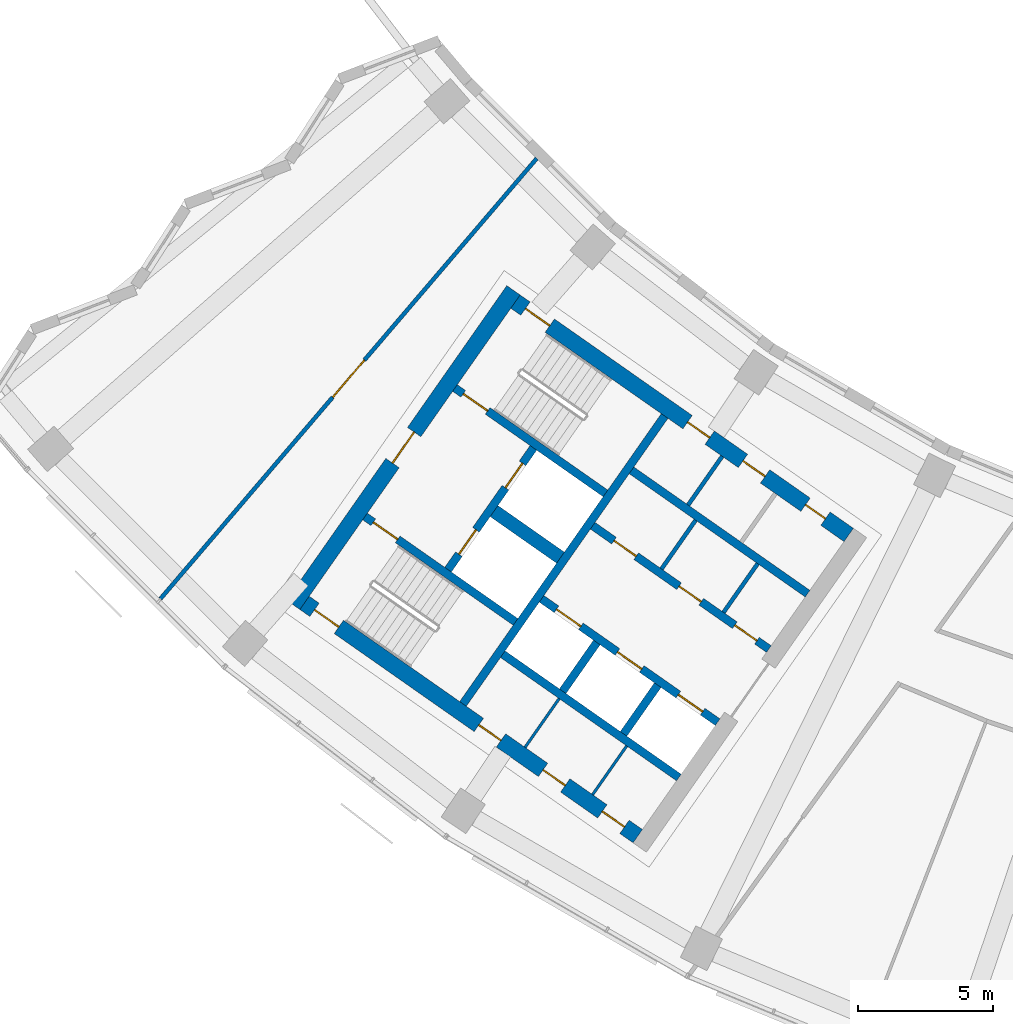
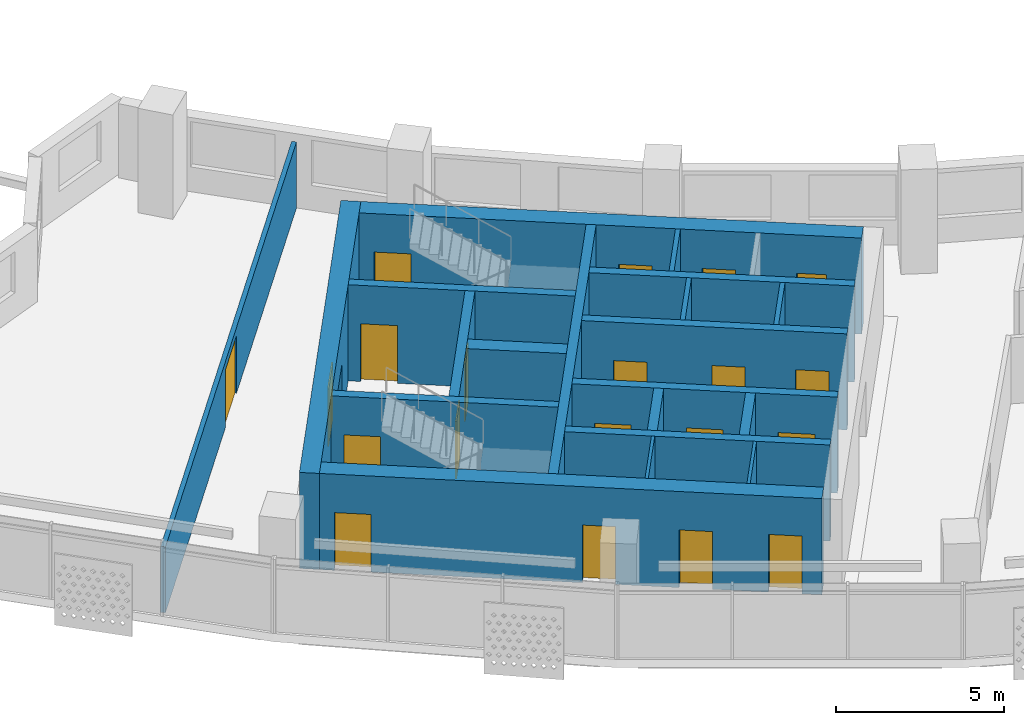
# One storey, part 3 of 27: 20 doors, 20 walls, 20 openings.
"""IFC4 building model written with IfcOpenShell, lengths in metres."""

from ifc_helpers import new_model, si_unit, direction, frame, frame_2d, origin, place, context, subcontext, project, spatial, rectangle, extrude, material, layer, layer_set, type_object, element, fill, save


model = new_model("IFC4")

# Units and contexts
model_context = context("Model", 3, precision=1e-05, world=origin(), true_north=direction((0.0, 1.0)))
body_context = subcontext(model_context, "Body", "Model", "MODEL_VIEW")
ifc_project = project(units=[si_unit("LENGTHUNIT", "METRE"), si_unit("AREAUNIT", "SQUARE_METRE"), si_unit("VOLUMEUNIT", "CUBIC_METRE"), si_unit("PLANEANGLEUNIT", "RADIAN"), si_unit("MASSUNIT", "GRAM", prefix="KILO")], contexts=[model_context])

# Site, building, storey
site_placement = place(None, origin())
site = spatial("IfcSite", under=ifc_project, at=site_placement, CompositionType="ELEMENT")
building_placement = place(site_placement, origin())
building = spatial("IfcBuilding", under=site, at=building_placement, Name="Qamariyya Broadcast Tower", CompositionType="ELEMENT")
storey_placement = place(building_placement, frame((0.0, 0.0, 175.89990234375)))
storey = spatial("IfcBuildingStorey", under=building, at=storey_placement, Name="L41", CompositionType="ELEMENT", Elevation=175.89990234375)

# Wall, opening, door
ifc_material_1 = material(Name="Concrete C60/75", Category="concrete")
ifc_layer_1 = layer(ifc_material_1, 0.60009765625)
ifc_layer_set_1 = layer_set([ifc_layer_1], Name="Core wall 600 mm Concrete C60/75")
wall_type_1 = type_object("IfcWallType", Name="Core wall 600 mm Concrete C60/75", PredefinedType="SHEAR", material=ifc_layer_set_1)
wall_1_placement = place(storey_placement, frame((-49.4833984375, -57.031494140625, 0.0), z_axis=(0.0, 0.0, 1.0), x_axis=(0.573560421458, 0.819163257805, 0.0)))
wall_1 = element("IfcWall", 1, at=wall_1_placement, inside=storey, type_object=wall_type_1, Name="k-W-L41-WH", PredefinedType="SHEAR", context=body_context, shape_type="SweptSolid", body=[
    extrude(rectangle(XDim=14.199951171875, YDim=0.60009765625, at=frame_2d((7.10009765625, 0.0))), origin(), (0.0, 0.0, 1.0), 3.5),
])
opening_1_placement = place(wall_1_placement, frame((6.39990234375, 0.0, 0.0)))
opening_1 = element("IfcOpeningElement", 2, at=opening_1_placement, cuts=wall_1, Name="Opening KD2-W1", PredefinedType="OPENING", context=body_context, shape_type="SweptSolid", body=[
    extrude(rectangle(XDim=1.39990234375, YDim=2.10009765625, at=frame_2d((0.699951171875, 1.050048828125))), frame((0.0, 0.31005859375, 0.0), z_axis=(0.0, -1.0, 0.0), x_axis=(1.0, 0.0, 0.0)), (0.0, 0.0, 1.0), 0.6201171875),
])
ifc_material_2 = material(Name="Steel fire-resisting door leaf", Category="steel")
door_type_1 = type_object("IfcDoorType", Name="Fire-fighting lobby door KD2", OperationType="DOUBLE_DOOR_SINGLE_SWING", PredefinedType="DOOR", material=ifc_material_2)
door_1_placement = place(opening_1_placement, origin())
door_1 = element("IfcDoor", 3, at=door_1_placement, inside=storey, type_object=door_type_1, Name="k-W-L41-WH-D16", OperationType="DOUBLE_DOOR_SINGLE_SWING", OverallHeight=2.10009765625, OverallWidth=1.39990234375, PredefinedType="DOOR", context=body_context, shape_type="SweptSolid", body=[
    extrude(rectangle(XDim=1.39990234375, YDim=2.10009765625, at=frame_2d((0.699951171875, 1.050048828125))), frame((0.0, 0.02490234375, 0.0), z_axis=(0.0, -1.0, 0.0), x_axis=(1.0, 0.0, 0.0)), (0.0, 0.0, 1.0), 0.050048828125),
])
fill(opening_1, door_1)

# Wall, openings, doors
wall_2_placement = place(storey_placement, frame((-28.940673828125, -54.447021484375, 0.0), z_axis=(0.0, 0.0, 1.0), x_axis=(-0.819153391756, 0.573574511963, 0.0)))
wall_2 = element("IfcWall", 4, at=wall_2_placement, inside=storey, type_object=wall_type_1, Name="k-W-L41-WI", PredefinedType="SHEAR", context=body_context, shape_type="SweptSolid", body=[
    extrude(rectangle(XDim=15.04541015625, YDim=0.60009765625, at=frame_2d((7.522705078125, 0.0))), origin(), (0.0, 0.0, 1.0), 3.5),
])
opening_2_placement = place(wall_2_placement, frame((1.050048828125, 0.0, 0.0)))
opening_2 = element("IfcOpeningElement", 5, at=opening_2_placement, cuts=wall_2, Name="Opening KD5-W1", PredefinedType="OPENING", context=body_context, shape_type="SweptSolid", body=[
    extrude(rectangle(XDim=0.89990234375, YDim=2.10009765625, at=frame_2d((0.449951171875, 1.050048828125))), frame((0.0, 0.31005859375, 0.0), z_axis=(0.0, -1.0, 0.0), x_axis=(1.0, 0.0, 0.0)), (0.0, 0.0, 1.0), 0.6201171875),
])
opening_3_placement = place(wall_2_placement, frame((3.77490234375, 0.0, 0.0)))
opening_3 = element("IfcOpeningElement", 6, at=opening_3_placement, cuts=wall_2, Name="Opening KD7-W1", PredefinedType="OPENING", context=body_context, shape_type="SweptSolid", body=[
    extrude(rectangle(XDim=1.0, YDim=2.10009765625, at=frame_2d((0.5, 1.050048828125))), frame((0.0, 0.31005859375, 0.0), z_axis=(0.0, -1.0, 0.0), x_axis=(1.0, 0.0, 0.0)), (0.0, 0.0, 1.0), 0.6201171875),
])
opening_4_placement = place(wall_2_placement, frame((6.27490234375, 0.0, 0.0)))
opening_4 = element("IfcOpeningElement", 7, at=opening_4_placement, cuts=wall_2, Name="Opening KD6-W3", PredefinedType="OPENING", context=body_context, shape_type="SweptSolid", body=[
    extrude(rectangle(XDim=1.0, YDim=2.10009765625, at=frame_2d((0.5, 1.050048828125))), frame((0.0, 0.31005859375, 0.0), z_axis=(0.0, -1.0, 0.0), x_axis=(1.0, 0.0, 0.0)), (0.0, 0.0, 1.0), 0.6201171875),
])
opening_5_placement = place(wall_2_placement, frame((13.495361328125, 0.0, 0.0)))
opening_5 = element("IfcOpeningElement", 8, at=opening_5_placement, cuts=wall_2, Name="Opening KD1-W1", PredefinedType="OPENING", context=body_context, shape_type="SweptSolid", body=[
    extrude(rectangle(XDim=1.10009765625, YDim=2.10009765625, at=frame_2d((0.550048828125, 1.050048828125))), frame((0.0, 0.31005859375, 0.0), z_axis=(0.0, -1.0, 0.0), x_axis=(1.0, 0.0, 0.0)), (0.0, 0.0, 1.0), 0.6201171875),
])
door_type_2 = type_object("IfcDoorType", Name="Accessible toilet door KD7", OperationType="SINGLE_SWING_LEFT", PredefinedType="DOOR", material=ifc_material_2)
door_2_placement = place(opening_3_placement, origin())
door_2 = element("IfcDoor", 9, at=door_2_placement, inside=storey, type_object=door_type_2, Name="k-W-L41-WI-D9", OperationType="SINGLE_SWING_RIGHT", OverallHeight=2.10009765625, OverallWidth=1.0, PredefinedType="DOOR", context=body_context, shape_type="SweptSolid", body=[
    extrude(rectangle(XDim=1.0, YDim=2.10009765625, at=frame_2d((0.5, 1.050048828125))), frame((0.0, 0.02490234375, 0.0), z_axis=(0.0, -1.0, 0.0), x_axis=(1.0, 0.0, 0.0)), (0.0, 0.0, 1.0), 0.050048828125),
])
fill(opening_3, door_2)
door_type_3 = type_object("IfcDoorType", Name="Core room door KD6", OperationType="SINGLE_SWING_LEFT", PredefinedType="DOOR", material=ifc_material_2)
door_3_placement = place(opening_4_placement, origin())
door_3 = element("IfcDoor", 10, at=door_3_placement, inside=storey, type_object=door_type_3, Name="k-W-L41-WI-D10", OperationType="SINGLE_SWING_LEFT", OverallHeight=2.10009765625, OverallWidth=1.0, PredefinedType="DOOR", context=body_context, shape_type="SweptSolid", body=[
    extrude(rectangle(XDim=1.0, YDim=2.10009765625, at=frame_2d((0.5, 1.050048828125))), frame((0.0, 0.02490234375, 0.0), z_axis=(0.0, -1.0, 0.0), x_axis=(1.0, 0.0, 0.0)), (0.0, 0.0, 1.0), 0.050048828125),
])
fill(opening_4, door_3)
door_type_4 = type_object("IfcDoorType", Name="Stair door KD1", OperationType="SINGLE_SWING_LEFT", PredefinedType="DOOR", material=ifc_material_2)
door_4_placement = place(opening_5_placement, origin())
door_4 = element("IfcDoor", 11, at=door_4_placement, inside=storey, type_object=door_type_4, Name="k-W-L41-WI-D17", OperationType="SINGLE_SWING_RIGHT", OverallHeight=2.10009765625, OverallWidth=1.10009765625, PredefinedType="DOOR", context=body_context, shape_type="SweptSolid", body=[
    extrude(rectangle(XDim=1.10009765625, YDim=2.10009765625, at=frame_2d((0.550048828125, 1.050048828125))), frame((0.0, 0.02490234375, 0.0), z_axis=(0.0, -1.0, 0.0), x_axis=(1.0, 0.0, 0.0)), (0.0, 0.0, 1.0), 0.050048828125),
])
fill(opening_5, door_4)
door_type_5 = type_object("IfcDoorType", Name="Toilet door KD5", OperationType="SINGLE_SWING_LEFT", PredefinedType="DOOR", material=ifc_material_2)
door_5_placement = place(opening_2_placement, origin())
door_5 = element("IfcDoor", 12, at=door_5_placement, inside=storey, type_object=door_type_5, Name="k-W-L41-WI-D8", OperationType="SINGLE_SWING_LEFT", OverallHeight=2.10009765625, OverallWidth=0.89990234375, PredefinedType="DOOR", context=body_context, shape_type="SweptSolid", body=[
    extrude(rectangle(XDim=0.89990234375, YDim=2.10009765625, at=frame_2d((0.449951171875, 1.050048828125))), frame((0.0, 0.02490234375, 0.0), z_axis=(0.0, -1.0, 0.0), x_axis=(1.0, 0.0, 0.0)), (0.0, 0.0, 1.0), 0.050048828125),
])
fill(opening_2, door_5)

wall_3_placement = place(storey_placement, frame((-36.7412109375, -65.58740234375, 0.0), z_axis=(0.0, 0.0, 1.0), x_axis=(-0.819153391756, 0.573574511963, 0.0)))
wall_3 = element("IfcWall", 13, at=wall_3_placement, inside=storey, type_object=wall_type_1, Name="k-W-L41-WO", PredefinedType="SHEAR", context=body_context, shape_type="SweptSolid", body=[
    extrude(rectangle(XDim=15.04541015625, YDim=0.60009765625, at=frame_2d((7.522705078125, 0.0))), origin(), (0.0, 0.0, 1.0), 3.5),
])
opening_6_placement = place(wall_3_placement, frame((0.60009765625, 0.0, 0.0)))
opening_6 = element("IfcOpeningElement", 14, at=opening_6_placement, cuts=wall_3, Name="Opening KD4-W2", PredefinedType="OPENING", context=body_context, shape_type="SweptSolid", body=[
    extrude(rectangle(XDim=1.0, YDim=2.10009765625, at=frame_2d((0.5, 1.050048828125))), frame((0.0, 0.31005859375, 0.0), z_axis=(0.0, -1.0, 0.0), x_axis=(1.0, 0.0, 0.0)), (0.0, 0.0, 1.0), 0.6201171875),
])
opening_7_placement = place(wall_3_placement, frame((3.27490234375, 0.0, 0.0)))
opening_7 = element("IfcOpeningElement", 15, at=opening_7_placement, cuts=wall_3, Name="Opening KD4-W3", PredefinedType="OPENING", context=body_context, shape_type="SweptSolid", body=[
    extrude(rectangle(XDim=1.0, YDim=2.10009765625, at=frame_2d((0.5, 1.050048828125))), frame((0.0, 0.31005859375, 0.0), z_axis=(0.0, -1.0, 0.0), x_axis=(1.0, 0.0, 0.0)), (0.0, 0.0, 1.0), 0.6201171875),
])
opening_8_placement = place(wall_3_placement, frame((6.175048828125, 0.0, 0.0)))
opening_8 = element("IfcOpeningElement", 16, at=opening_8_placement, cuts=wall_3, Name="Opening KD4-W4", PredefinedType="OPENING", context=body_context, shape_type="SweptSolid", body=[
    extrude(rectangle(XDim=1.0, YDim=2.10009765625, at=frame_2d((0.5, 1.050048828125))), frame((0.0, 0.31005859375, 0.0), z_axis=(0.0, -1.0, 0.0), x_axis=(1.0, 0.0, 0.0)), (0.0, 0.0, 1.0), 0.6201171875),
])
opening_9_placement = place(wall_3_placement, frame((13.495361328125, 0.0, 0.0)))
opening_9 = element("IfcOpeningElement", 17, at=opening_9_placement, cuts=wall_3, Name="Opening KD1-W3", PredefinedType="OPENING", context=body_context, shape_type="SweptSolid", body=[
    extrude(rectangle(XDim=1.10009765625, YDim=2.10009765625, at=frame_2d((0.550048828125, 1.050048828125))), frame((0.0, 0.31005859375, 0.0), z_axis=(0.0, -1.0, 0.0), x_axis=(1.0, 0.0, 0.0)), (0.0, 0.0, 1.0), 0.6201171875),
])
door_type_6 = type_object("IfcDoorType", Name="Riser and plant door KD4", OperationType="SINGLE_SWING_LEFT", PredefinedType="DOOR", material=ifc_material_2)
door_6_placement = place(opening_6_placement, origin())
door_6 = element("IfcDoor", 18, at=door_6_placement, inside=storey, type_object=door_type_6, Name="k-W-L41-WO-D11", OperationType="SINGLE_SWING_RIGHT", OverallHeight=2.10009765625, OverallWidth=1.0, PredefinedType="DOOR", context=body_context, shape_type="SweptSolid", body=[
    extrude(rectangle(XDim=1.0, YDim=2.10009765625, at=frame_2d((0.5, 1.050048828125))), frame((0.0, 0.02490234375, 0.0), z_axis=(0.0, -1.0, 0.0), x_axis=(1.0, 0.0, 0.0)), (0.0, 0.0, 1.0), 0.050048828125),
])
fill(opening_6, door_6)
door_7_placement = place(opening_7_placement, origin())
door_7 = element("IfcDoor", 19, at=door_7_placement, inside=storey, type_object=door_type_6, Name="k-W-L41-WO-D12", OperationType="SINGLE_SWING_LEFT", OverallHeight=2.10009765625, OverallWidth=1.0, PredefinedType="DOOR", context=body_context, shape_type="SweptSolid", body=[
    extrude(rectangle(XDim=1.0, YDim=2.10009765625, at=frame_2d((0.5, 1.050048828125))), frame((0.0, 0.02490234375, 0.0), z_axis=(0.0, -1.0, 0.0), x_axis=(1.0, 0.0, 0.0)), (0.0, 0.0, 1.0), 0.050048828125),
])
fill(opening_7, door_7)
door_8_placement = place(opening_8_placement, origin())
door_8 = element("IfcDoor", 20, at=door_8_placement, inside=storey, type_object=door_type_6, Name="k-W-L41-WO-D13", OperationType="SINGLE_SWING_RIGHT", OverallHeight=2.10009765625, OverallWidth=1.0, PredefinedType="DOOR", context=body_context, shape_type="SweptSolid", body=[
    extrude(rectangle(XDim=1.0, YDim=2.10009765625, at=frame_2d((0.5, 1.050048828125))), frame((0.0, 0.02490234375, 0.0), z_axis=(0.0, -1.0, 0.0), x_axis=(1.0, 0.0, 0.0)), (0.0, 0.0, 1.0), 0.050048828125),
])
fill(opening_8, door_8)
door_9_placement = place(opening_9_placement, origin())
door_9 = element("IfcDoor", 21, at=door_9_placement, inside=storey, type_object=door_type_4, Name="k-W-L41-WO-D19", OperationType="SINGLE_SWING_LEFT", OverallHeight=2.10009765625, OverallWidth=1.10009765625, PredefinedType="DOOR", context=body_context, shape_type="SweptSolid", body=[
    extrude(rectangle(XDim=1.10009765625, YDim=2.10009765625, at=frame_2d((0.550048828125, 1.050048828125))), frame((0.0, 0.02490234375, 0.0), z_axis=(0.0, -1.0, 0.0), x_axis=(1.0, 0.0, 0.0)), (0.0, 0.0, 1.0), 0.050048828125),
])
fill(opening_9, door_9)

# Wall, opening, door
ifc_material_3 = material(Name="Gypsum board partition")
ifc_layer_2 = layer(ifc_material_3, 0.14990234375)
ifc_layer_set_2 = layer_set([ifc_layer_2], Name="Corridor partition 150 EI 60")
wall_type_2 = type_object("IfcWallType", Name="Corridor partition 150 EI 60", PredefinedType="PARTITIONING", material=ifc_layer_set_2)
wall_4_placement = place(storey_placement, frame((-54.39404296875, -56.8076171875, 0.0), z_axis=(0.0, 0.0, 1.0), x_axis=(0.649633284071, 0.760247720303, 0.0)))
wall_4 = element("IfcWall", 22, at=wall_4_placement, inside=storey, type_object=wall_type_2, Name="Partition L41-001", PredefinedType="PARTITIONING", context=body_context, shape_type="SweptSolid", body=[
    extrude(rectangle(XDim=21.420166015625, YDim=0.14990234375, at=frame_2d((10.7099609375, 0.0))), origin(), (0.0, 0.0, 1.0), 2.400146484375),
])
opening_10_placement = place(wall_4_placement, frame((9.81005859375, 0.0, 0.0)))
opening_10 = element("IfcOpeningElement", 23, at=opening_10_placement, cuts=wall_4, Name="Opening L41-D12", PredefinedType="OPENING", context=body_context, shape_type="SweptSolid", body=[
    extrude(rectangle(XDim=1.800048828125, YDim=2.10009765625, at=frame_2d((0.89990234375, 1.050048828125))), frame((0.0, 0.0849609375, 0.0), z_axis=(0.0, -1.0, 0.0), x_axis=(1.0, 0.0, 0.0)), (0.0, 0.0, 1.0), 0.169921875),
])
ifc_material_4 = material(Name="Timber fire door leaf", Category="wood")
door_type_7 = type_object("IfcDoorType", Name="Double fire door 1800 x 2100 FD60", OperationType="NOTDEFINED", PredefinedType="DOOR", material=ifc_material_4)
door_10_placement = place(opening_10_placement, origin())
door_10 = element("IfcDoor", 24, at=door_10_placement, inside=storey, type_object=door_type_7, Name="Door L41-D12", OperationType="DOUBLE_DOOR_SINGLE_SWING", OverallHeight=2.10009765625, OverallWidth=1.800048828125, PredefinedType="DOOR", context=body_context, shape_type="SweptSolid", body=[
    extrude(rectangle(XDim=1.800048828125, YDim=2.10009765625, at=frame_2d((0.89990234375, 1.050048828125))), frame((0.0, 0.02490234375, 0.0), z_axis=(0.0, -1.0, 0.0), x_axis=(1.0, 0.0, 0.0)), (0.0, 0.0, 1.0), 0.050048828125),
])
fill(opening_10, door_10)

# Walls
ifc_layer_3 = layer(ifc_material_1, 0.5)
ifc_layer_set_3 = layer_set([ifc_layer_3], Name="Fire-fighting lobby divider wall 500 mm Concrete C60/75")
wall_type_3 = type_object("IfcWallType", Name="Fire-fighting lobby divider wall 500 mm Concrete C60/75", PredefinedType="SOLIDWALL", material=ifc_layer_set_3)
wall_5_placement = place(storey_placement, frame((-39.59912109375, -55.28515625, 0.0), z_axis=(0.0, 0.0, 1.0), x_axis=(-0.819136323161, 0.573598887793, 0.0)))
element("IfcWall", 25, at=wall_5_placement, inside=storey, type_object=wall_type_3, Name="k-W-L41-FD", PredefinedType="SOLIDWALL", context=body_context, shape_type="SweptSolid", body=[
    extrude(rectangle(XDim=2.999755859375, YDim=0.5, at=frame_2d((1.5, 0.0))), origin(), (0.0, 0.0, 1.0), 3.5),
])
ifc_material_5 = material(Name="Gypsum board partition on steel studs", Category="steel")
ifc_layer_4 = layer(ifc_material_5, 0.14990234375)
ifc_layer_set_4 = layer_set([ifc_layer_4], Name="Gypsum board partition 150 mm")
wall_type_4 = type_object("IfcWallType", Name="Gypsum board partition 150 mm", PredefinedType="PARTITIONING", material=ifc_layer_set_4)
for number, where, z_axis, x_axis, name in (
    (26, (-33.569580078125, -57.3095703125, 0.0), (0.0, 0.0, 1.0), (0.573507030513, 0.819200638399, 0.0), "k-W-L41-NC215"),
    (27, (-35.86328125, -55.70361328125, 0.0), (0.0, 0.0, 1.0), (0.573507030513, 0.819200638399, 0.0), "k-W-L41-NC495"),
):
    element("IfcWall", number, at=place(storey_placement, frame(where, z_axis=z_axis, x_axis=x_axis)), inside=storey, type_object=wall_type_4, Name=name, PredefinedType="PARTITIONING", context=body_context, shape_type="SweptSolid", body=[
        extrude(rectangle(XDim=2.199951171875, YDim=0.14990234375, at=frame_2d((1.10009765625, 0.0))), origin(), (0.0, 0.0, 1.0), 3.5),
    ])
wall_6_placement = place(storey_placement, frame((-34.8798828125, -53.340087890625, 0.0), z_axis=(0.0, 0.0, 1.0), x_axis=(0.573559170999, 0.819164133348, 0.0)))
element("IfcWall", 28, at=wall_6_placement, inside=storey, type_object=wall_type_4, Name="k-W-L41-NP550", PredefinedType="PARTITIONING", context=body_context, shape_type="SweptSolid", body=[
    extrude(rectangle(XDim=2.19970703125, YDim=0.14990234375, at=frame_2d((1.099853515625, 0.0))), origin(), (0.0, 0.0, 1.0), 3.5),
])
ifc_layer_5 = layer(ifc_material_1, 0.300048828125)
ifc_layer_set_5 = layer_set([ifc_layer_5], Name="Lift shaft wall 300 mm Concrete C60/75")
wall_type_5 = type_object("IfcWallType", Name="Lift shaft wall 300 mm Concrete C60/75", PredefinedType="SOLIDWALL", material=ifc_layer_set_5)
wall_7_placement = place(storey_placement, frame((-43.204345703125, -60.69580078125, 0.0), z_axis=(0.0, 0.0, 1.0), x_axis=(0.573571992966, 0.819155155563, 0.0)))
element("IfcWall", 29, at=wall_7_placement, inside=storey, type_object=wall_type_5, Name="k-W-L41-WL", PredefinedType="SOLIDWALL", context=body_context, shape_type="SweptSolid", body=[
    extrude(rectangle(XDim=13.000244140625, YDim=0.300048828125, at=frame_2d((6.5, 0.0))), origin(), (0.0, 0.0, 1.0), 3.5),
])

# Wall, openings, doors
wall_8_placement = place(storey_placement, frame((-31.89453125, -58.66552734375, 0.0), z_axis=(0.0, 0.0, 1.0), x_axis=(-0.819166993208, 0.573555086491, 0.0)))
wall_8 = element("IfcWall", 30, at=wall_8_placement, inside=storey, type_object=wall_type_5, Name="k-W-L41-NF0", PredefinedType="SOLIDWALL", context=body_context, shape_type="SweptSolid", body=[
    extrude(rectangle(XDim=7.9501953125, YDim=0.300048828125, at=frame_2d((3.97509765625, 0.0))), origin(), (0.0, 0.0, 1.0), 3.5),
])
opening_11_placement = place(wall_8_placement, frame((0.53759765625, 0.0, 0.0)))
opening_11 = element("IfcOpeningElement", 31, at=opening_11_placement, cuts=wall_8, Name="Opening KD6-W1", PredefinedType="OPENING", context=body_context, shape_type="SweptSolid", body=[
    extrude(rectangle(XDim=1.0, YDim=2.10009765625, at=frame_2d((0.5, 1.050048828125))), frame((0.0, 0.159912109375, 0.0), z_axis=(0.0, -1.0, 0.0), x_axis=(1.0, 0.0, 0.0)), (0.0, 0.0, 1.0), 0.320068359375),
])
opening_12_placement = place(wall_8_placement, frame((3.050048828125, 0.0, 0.0)))
opening_12 = element("IfcOpeningElement", 32, at=opening_12_placement, cuts=wall_8, Name="Opening KD6-W2", PredefinedType="OPENING", context=body_context, shape_type="SweptSolid", body=[
    extrude(rectangle(XDim=1.0, YDim=2.10009765625, at=frame_2d((0.5, 1.050048828125))), frame((0.0, 0.159912109375, 0.0), z_axis=(0.0, -1.0, 0.0), x_axis=(1.0, 0.0, 0.0)), (0.0, 0.0, 1.0), 0.320068359375),
])
opening_13_placement = place(wall_8_placement, frame((5.987548828125, 0.0, 0.0)))
opening_13 = element("IfcOpeningElement", 33, at=opening_13_placement, cuts=wall_8, Name="Opening KD4-W1", PredefinedType="OPENING", context=body_context, shape_type="SweptSolid", body=[
    extrude(rectangle(XDim=1.0, YDim=2.10009765625, at=frame_2d((0.5, 1.050048828125))), frame((0.0, 0.159912109375, 0.0), z_axis=(0.0, -1.0, 0.0), x_axis=(1.0, 0.0, 0.0)), (0.0, 0.0, 1.0), 0.320068359375),
])
door_11_placement = place(opening_11_placement, origin())
door_11 = element("IfcDoor", 34, at=door_11_placement, inside=storey, type_object=door_type_3, Name="k-W-L41-NF0-D2", OperationType="SINGLE_SWING_LEFT", OverallHeight=2.10009765625, OverallWidth=1.0, PredefinedType="DOOR", context=body_context, shape_type="SweptSolid", body=[
    extrude(rectangle(XDim=1.0, YDim=2.10009765625, at=frame_2d((0.5, 1.050048828125))), frame((0.0, 0.02490234375, 0.0), z_axis=(0.0, -1.0, 0.0), x_axis=(1.0, 0.0, 0.0)), (0.0, 0.0, 1.0), 0.050048828125),
])
fill(opening_11, door_11)
door_12_placement = place(opening_12_placement, origin())
door_12 = element("IfcDoor", 35, at=door_12_placement, inside=storey, type_object=door_type_3, Name="k-W-L41-NF0-D3", OperationType="SINGLE_SWING_RIGHT", OverallHeight=2.10009765625, OverallWidth=1.0, PredefinedType="DOOR", context=body_context, shape_type="SweptSolid", body=[
    extrude(rectangle(XDim=1.0, YDim=2.10009765625, at=frame_2d((0.5, 1.050048828125))), frame((0.0, 0.02490234375, 0.0), z_axis=(0.0, -1.0, 0.0), x_axis=(1.0, 0.0, 0.0)), (0.0, 0.0, 1.0), 0.050048828125),
])
fill(opening_12, door_12)
door_13_placement = place(opening_13_placement, origin())
door_13 = element("IfcDoor", 36, at=door_13_placement, inside=storey, type_object=door_type_6, Name="k-W-L41-NF0-D4", OperationType="SINGLE_SWING_LEFT", OverallHeight=2.10009765625, OverallWidth=1.0, PredefinedType="DOOR", context=body_context, shape_type="SweptSolid", body=[
    extrude(rectangle(XDim=1.0, YDim=2.10009765625, at=frame_2d((0.5, 1.050048828125))), frame((0.0, 0.02490234375, 0.0), z_axis=(0.0, -1.0, 0.0), x_axis=(1.0, 0.0, 0.0)), (0.0, 0.0, 1.0), 0.050048828125),
])
fill(opening_13, door_13)

# Wall
wall_9_placement = place(storey_placement, frame((-30.460693359375, -56.61767578125, 0.0), z_axis=(0.0, 0.0, 1.0), x_axis=(-0.819142461705, 0.573590121456, 0.0)))
element("IfcWall", 37, at=wall_9_placement, inside=storey, type_object=wall_type_5, Name="k-W-L41-NB0", PredefinedType="SOLIDWALL", context=body_context, shape_type="SweptSolid", body=[
    extrude(rectangle(XDim=7.949951171875, YDim=0.300048828125, at=frame_2d((3.97509765625, 0.0))), origin(), (0.0, 0.0, 1.0), 3.5),
])

# Wall, openings, doors
wall_10_placement = place(storey_placement, frame((-33.787353515625, -61.368896484375, 0.0), z_axis=(0.0, 0.0, 1.0), x_axis=(-0.819152564888, 0.573575692858, 0.0)))
wall_10 = element("IfcWall", 38, at=wall_10_placement, inside=storey, type_object=wall_type_5, Name="k-W-L41-SF0", PredefinedType="SOLIDWALL", context=body_context, shape_type="SweptSolid", body=[
    extrude(rectangle(XDim=7.9501953125, YDim=0.300048828125, at=frame_2d((3.97509765625, 0.0))), origin(), (0.0, 0.0, 1.0), 3.5),
])
opening_14_placement = place(wall_10_placement, frame((0.675048828125, 0.0, 0.0)))
opening_14 = element("IfcOpeningElement", 39, at=opening_14_placement, cuts=wall_10, Name="Opening LD", PredefinedType="OPENING", context=body_context, shape_type="SweptSolid", body=[
    extrude(rectangle(XDim=1.10009765625, YDim=2.10009765625, at=frame_2d((0.550048828125, 1.050048828125))), frame((0.0, 0.159912109375, 0.0), z_axis=(0.0, -1.0, 0.0), x_axis=(1.0, 0.0, 0.0)), (0.0, 0.0, 1.0), 0.320068359375),
])
opening_15_placement = place(wall_10_placement, frame((3.425048828125, 0.0, 0.0)))
opening_15 = element("IfcOpeningElement", 40, at=opening_15_placement, cuts=wall_10, Name="Opening LD", PredefinedType="OPENING", context=body_context, shape_type="SweptSolid", body=[
    extrude(rectangle(XDim=1.10009765625, YDim=2.10009765625, at=frame_2d((0.550048828125, 1.050048828125))), frame((0.0, 0.159912109375, 0.0), z_axis=(0.0, -1.0, 0.0), x_axis=(1.0, 0.0, 0.0)), (0.0, 0.0, 1.0), 0.320068359375),
])
opening_16_placement = place(wall_10_placement, frame((6.175048828125, 0.0, 0.0)))
opening_16 = element("IfcOpeningElement", 41, at=opening_16_placement, cuts=wall_10, Name="Opening LD", PredefinedType="OPENING", context=body_context, shape_type="SweptSolid", body=[
    extrude(rectangle(XDim=1.10009765625, YDim=2.10009765625, at=frame_2d((0.550048828125, 1.050048828125))), frame((0.0, 0.159912109375, 0.0), z_axis=(0.0, -1.0, 0.0), x_axis=(1.0, 0.0, 0.0)), (0.0, 0.0, 1.0), 0.320068359375),
])
door_type_8 = type_object("IfcDoorType", Name="Lift landing door LD", OperationType="DOUBLE_DOOR_SLIDING", PredefinedType="DOOR", material=ifc_material_2)
door_14_placement = place(opening_14_placement, origin())
door_14 = element("IfcDoor", 42, at=door_14_placement, inside=storey, type_object=door_type_8, Name="k-W-L41-SF0-D5", OperationType="DOUBLE_DOOR_SLIDING", OverallHeight=2.10009765625, OverallWidth=1.10009765625, PredefinedType="DOOR", context=body_context, shape_type="SweptSolid", body=[
    extrude(rectangle(XDim=1.10009765625, YDim=2.10009765625, at=frame_2d((0.550048828125, 1.050048828125))), frame((0.0, 0.02490234375, 0.0), z_axis=(0.0, -1.0, 0.0), x_axis=(1.0, 0.0, 0.0)), (0.0, 0.0, 1.0), 0.050048828125),
])
fill(opening_14, door_14)
door_15_placement = place(opening_15_placement, origin())
door_15 = element("IfcDoor", 43, at=door_15_placement, inside=storey, type_object=door_type_8, Name="k-W-L41-SF0-D6", OperationType="DOUBLE_DOOR_SLIDING", OverallHeight=2.10009765625, OverallWidth=1.10009765625, PredefinedType="DOOR", context=body_context, shape_type="SweptSolid", body=[
    extrude(rectangle(XDim=1.10009765625, YDim=2.10009765625, at=frame_2d((0.550048828125, 1.050048828125))), frame((0.0, 0.02490234375, 0.0), z_axis=(0.0, -1.0, 0.0), x_axis=(1.0, 0.0, 0.0)), (0.0, 0.0, 1.0), 0.050048828125),
])
fill(opening_15, door_15)
door_16_placement = place(opening_16_placement, origin())
door_16 = element("IfcDoor", 44, at=door_16_placement, inside=storey, type_object=door_type_8, Name="k-W-L41-SF0-D7", OperationType="DOUBLE_DOOR_SLIDING", OverallHeight=2.10009765625, OverallWidth=1.10009765625, PredefinedType="DOOR", context=body_context, shape_type="SweptSolid", body=[
    extrude(rectangle(XDim=1.10009765625, YDim=2.10009765625, at=frame_2d((0.550048828125, 1.050048828125))), frame((0.0, 0.02490234375, 0.0), z_axis=(0.0, -1.0, 0.0), x_axis=(1.0, 0.0, 0.0)), (0.0, 0.0, 1.0), 0.050048828125),
])
fill(opening_16, door_16)

# Walls
wall_11_placement = place(storey_placement, frame((-35.22119140625, -63.41650390625, 0.0), z_axis=(0.0, 0.0, 1.0), x_axis=(-0.819166993208, 0.573555086491, 0.0)))
element("IfcWall", 45, at=wall_11_placement, inside=storey, type_object=wall_type_5, Name="k-W-L41-SB0", PredefinedType="SOLIDWALL", context=body_context, shape_type="SweptSolid", body=[
    extrude(rectangle(XDim=7.9501953125, YDim=0.300048828125, at=frame_2d((3.97509765625, 0.0))), origin(), (0.0, 0.0, 1.0), 3.5),
])
wall_12_placement = place(storey_placement, frame((-36.003173828125, -60.000244140625, 0.0), z_axis=(0.0, 0.0, 1.0), x_axis=(-0.573581496053, -0.819148501424, 0.0)))
element("IfcWall", 46, at=wall_12_placement, inside=storey, type_object=wall_type_5, Name="k-W-L41-SD0", PredefinedType="SOLIDWALL", context=body_context, shape_type="SweptSolid", body=[
    extrude(rectangle(XDim=2.2001953125, YDim=0.300048828125, at=frame_2d((1.10009765625, 0.0))), origin(), (0.0, 0.0, 1.0), 3.5),
])
wall_13_placement = place(storey_placement, frame((-38.255859375, -58.423095703125, 0.0), z_axis=(0.0, 0.0, 1.0), x_axis=(-0.573633636671, -0.819111989218, 0.0)))
element("IfcWall", 47, at=wall_13_placement, inside=storey, type_object=wall_type_5, Name="k-W-L41-SD1", PredefinedType="SOLIDWALL", context=body_context, shape_type="SweptSolid", body=[
    extrude(rectangle(XDim=2.199951171875, YDim=0.300048828125, at=frame_2d((1.10009765625, 0.0))), origin(), (0.0, 0.0, 1.0), 3.5),
])

# Wall, opening, door
wall_14_placement = place(storey_placement, frame((-37.935546875, -52.90966796875, 0.0), z_axis=(0.0, 0.0, 1.0), x_axis=(-0.819147518138, 0.57358290031, 0.0)))
wall_14 = element("IfcWall", 48, at=wall_14_placement, inside=storey, type_object=wall_type_5, Name="k-W-L41-NW", PredefinedType="SOLIDWALL", context=body_context, shape_type="SweptSolid", body=[
    extrude(rectangle(XDim=6.79541015625, YDim=0.300048828125, at=frame_2d((3.397705078125, 0.0))), origin(), (0.0, 0.0, 1.0), 3.5),
])
opening_17_placement = place(wall_14_placement, frame((5.3203125, 0.0, 0.0)))
opening_17 = element("IfcOpeningElement", 49, at=opening_17_placement, cuts=wall_14, Name="Opening KD1-W2", PredefinedType="OPENING", context=body_context, shape_type="SweptSolid", body=[
    extrude(rectangle(XDim=1.10009765625, YDim=2.10009765625, at=frame_2d((0.550048828125, 1.050048828125))), frame((0.0, 0.159912109375, 0.0), z_axis=(0.0, -1.0, 0.0), x_axis=(1.0, 0.0, 0.0)), (0.0, 0.0, 1.0), 0.320068359375),
])
door_17_placement = place(opening_17_placement, origin())
door_17 = element("IfcDoor", 50, at=door_17_placement, inside=storey, type_object=door_type_4, Name="k-W-L41-NW-D18", OperationType="SINGLE_SWING_LEFT", OverallHeight=2.10009765625, OverallWidth=1.10009765625, PredefinedType="DOOR", context=body_context, shape_type="SweptSolid", body=[
    extrude(rectangle(XDim=1.10009765625, YDim=2.10009765625, at=frame_2d((0.550048828125, 1.050048828125))), frame((0.0, 0.02490234375, 0.0), z_axis=(0.0, -1.0, 0.0), x_axis=(1.0, 0.0, 0.0)), (0.0, 0.0, 1.0), 0.050048828125),
])
fill(opening_17, door_17)

wall_15_placement = place(storey_placement, frame((-41.262451171875, -57.66064453125, 0.0), z_axis=(0.0, 0.0, 1.0), x_axis=(-0.819164398642, 0.573558792102, 0.0)))
wall_15 = element("IfcWall", 51, at=wall_15_placement, inside=storey, type_object=wall_type_5, Name="k-W-L41-SW", PredefinedType="SOLIDWALL", context=body_context, shape_type="SweptSolid", body=[
    extrude(rectangle(XDim=6.795166015625, YDim=0.300048828125, at=frame_2d((3.3974609375, 0.0))), origin(), (0.0, 0.0, 1.0), 3.5),
])
opening_18_placement = place(wall_15_placement, frame((5.3203125, 0.0, 0.0)))
opening_18 = element("IfcOpeningElement", 52, at=opening_18_placement, cuts=wall_15, Name="Opening KD1-W4", PredefinedType="OPENING", context=body_context, shape_type="SweptSolid", body=[
    extrude(rectangle(XDim=1.10009765625, YDim=2.10009765625, at=frame_2d((0.550048828125, 1.050048828125))), frame((0.0, 0.159912109375, 0.0), z_axis=(0.0, -1.0, 0.0), x_axis=(1.0, 0.0, 0.0)), (0.0, 0.0, 1.0), 0.320068359375),
])
door_18_placement = place(opening_18_placement, origin())
door_18 = element("IfcDoor", 53, at=door_18_placement, inside=storey, type_object=door_type_4, Name="k-W-L41-SW-D20", OperationType="SINGLE_SWING_LEFT", OverallHeight=2.10009765625, OverallWidth=1.10009765625, PredefinedType="DOOR", context=body_context, shape_type="SweptSolid", body=[
    extrude(rectangle(XDim=1.10009765625, YDim=2.10009765625, at=frame_2d((0.550048828125, 1.050048828125))), frame((0.0, 0.02490234375, 0.0), z_axis=(0.0, -1.0, 0.0), x_axis=(1.0, 0.0, 0.0)), (0.0, 0.0, 1.0), 0.050048828125),
])
fill(opening_18, door_18)

# Wall, openings, doors
wall_16_placement = place(storey_placement, frame((-43.756591796875, -55.731201171875, 0.0), z_axis=(0.0, 0.0, 1.0), x_axis=(0.573536818435, 0.819179783625, 0.0)))
wall_16 = element("IfcWall", 54, at=wall_16_placement, inside=storey, type_object=wall_type_5, Name="k-W-L41-FF", PredefinedType="SOLIDWALL", context=body_context, shape_type="SweptSolid", body=[
    extrude(rectangle(XDim=5.500244140625, YDim=0.300048828125, at=frame_2d((2.75, 0.0))), origin(), (0.0, 0.0, 1.0), 3.5),
])
opening_19_placement = place(wall_16_placement, frame((0.699951171875, 0.0, 0.0)))
opening_19 = element("IfcOpeningElement", 55, at=opening_19_placement, cuts=wall_16, Name="Opening LD", PredefinedType="OPENING", context=body_context, shape_type="SweptSolid", body=[
    extrude(rectangle(XDim=1.10009765625, YDim=2.10009765625, at=frame_2d((0.550048828125, 1.050048828125))), frame((0.0, 0.159912109375, 0.0), z_axis=(0.0, -1.0, 0.0), x_axis=(1.0, 0.0, 0.0)), (0.0, 0.0, 1.0), 0.320068359375),
])
opening_20_placement = place(wall_16_placement, frame((3.699951171875, 0.0, 0.0)))
opening_20 = element("IfcOpeningElement", 56, at=opening_20_placement, cuts=wall_16, Name="Opening LD", PredefinedType="OPENING", context=body_context, shape_type="SweptSolid", body=[
    extrude(rectangle(XDim=1.10009765625, YDim=2.10009765625, at=frame_2d((0.550048828125, 1.050048828125))), frame((0.0, 0.159912109375, 0.0), z_axis=(0.0, -1.0, 0.0), x_axis=(1.0, 0.0, 0.0)), (0.0, 0.0, 1.0), 0.320068359375),
])
door_19_placement = place(opening_19_placement, origin())
door_19 = element("IfcDoor", 57, at=door_19_placement, inside=storey, type_object=door_type_8, Name="k-W-L41-FF-D14", OperationType="DOUBLE_DOOR_SLIDING", OverallHeight=2.10009765625, OverallWidth=1.10009765625, PredefinedType="DOOR", context=body_context, shape_type="SweptSolid", body=[
    extrude(rectangle(XDim=1.10009765625, YDim=2.10009765625, at=frame_2d((0.550048828125, 1.050048828125))), frame((0.0, 0.02490234375, 0.0), z_axis=(0.0, -1.0, 0.0), x_axis=(1.0, 0.0, 0.0)), (0.0, 0.0, 1.0), 0.050048828125),
])
fill(opening_19, door_19)
door_20_placement = place(opening_20_placement, origin())
door_20 = element("IfcDoor", 58, at=door_20_placement, inside=storey, type_object=door_type_8, Name="k-W-L41-FF-D15", OperationType="DOUBLE_DOOR_SLIDING", OverallHeight=2.10009765625, OverallWidth=1.10009765625, PredefinedType="DOOR", context=body_context, shape_type="SweptSolid", body=[
    extrude(rectangle(XDim=1.10009765625, YDim=2.10009765625, at=frame_2d((0.550048828125, 1.050048828125))), frame((0.0, 0.02490234375, 0.0), z_axis=(0.0, -1.0, 0.0), x_axis=(1.0, 0.0, 0.0)), (0.0, 0.0, 1.0), 0.050048828125),
])
fill(opening_20, door_20)

# Walls
ifc_material_6 = material(Name="Fire-rated gypsum shaft liner on steel studs", Category="steel")
ifc_layer_6 = layer(ifc_material_6, 0.10009765625)
ifc_layer_set_6 = layer_set([ifc_layer_6], Name="Riser wall 100 mm")
wall_type_6 = type_object("IfcWallType", Name="Riser wall 100 mm", PredefinedType="PLUMBINGWALL", material=ifc_layer_set_6)
for number, where, z_axis, x_axis, name in (
    (59, (-37.150390625, -62.2490234375, 0.0), (0.0, 0.0, 1.0), (-0.573633636671, -0.819111989218, 0.0), "k-W-L41-SP225"),
    (60, (-39.64892578125, -60.49951171875, 0.0), (0.0, 0.0, 1.0), (-0.573507030513, -0.819200638399, 0.0), "k-W-L41-SP530"),
):
    element("IfcWall", number, at=place(storey_placement, frame(where, z_axis=z_axis, x_axis=x_axis)), inside=storey, type_object=wall_type_6, Name=name, PredefinedType="PLUMBINGWALL", context=body_context, shape_type="SweptSolid", body=[
        extrude(rectangle(XDim=2.199951171875, YDim=0.10009765625, at=frame_2d((1.10009765625, 0.0))), origin(), (0.0, 0.0, 1.0), 3.5),
    ])

save(model, "model.ifc")
